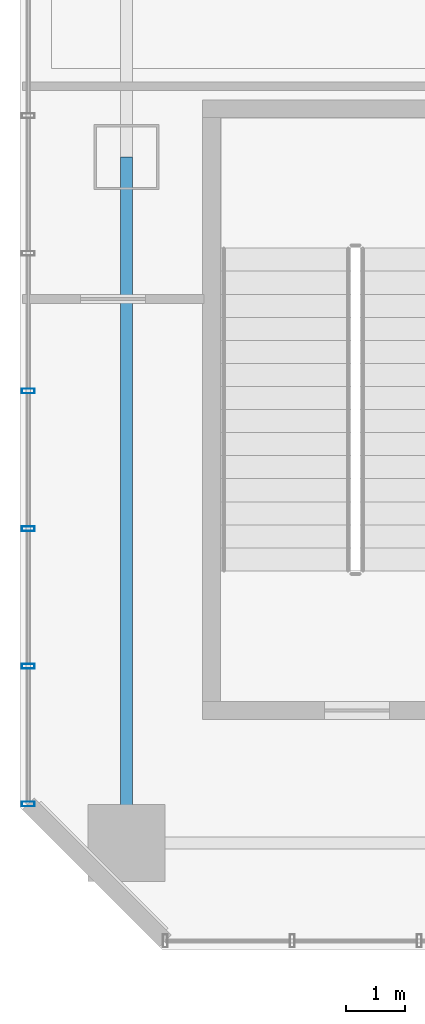
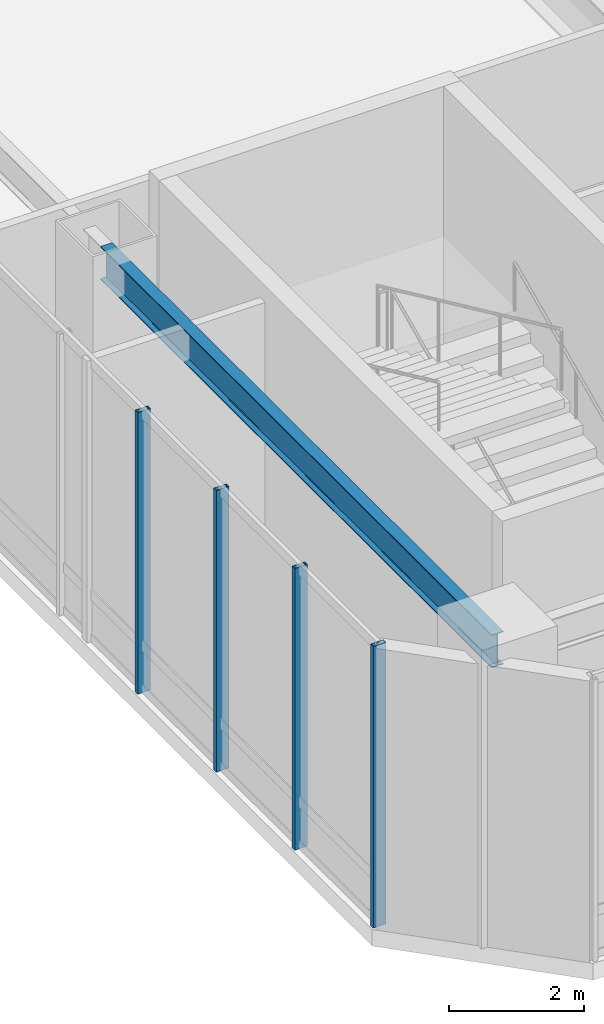
# One storey, part 3 of 35: 4 members, 1 beam, 1 element without a shape of its own.
"""IFC4 building model written with IfcOpenShell, lengths in metres."""

from ifc_helpers import new_model, si_unit, direction, frame, origin, origin_2d, place, context, subcontext, project, spatial, hollow_rectangle, i_section, extrude, material, layer, layer_set, material_profile, profile_set, type_object, element, aggregate, save


model = new_model("IFC4")

# Units and contexts
model_context = context("Model", 3, precision=1e-05, world=origin(), true_north=direction((0.0, 1.0)))
body_context = subcontext(model_context, "Body", "Model", "MODEL_VIEW")
ifc_project = project(units=[si_unit("LENGTHUNIT", "METRE"), si_unit("AREAUNIT", "SQUARE_METRE"), si_unit("VOLUMEUNIT", "CUBIC_METRE"), si_unit("PLANEANGLEUNIT", "RADIAN"), si_unit("MASSUNIT", "GRAM", prefix="KILO")], contexts=[model_context])

# Site, building, storey
site_placement = place(None, origin())
site = spatial("IfcSite", under=ifc_project, at=site_placement, CompositionType="ELEMENT")
building_placement = place(site_placement, origin())
building = spatial("IfcBuilding", under=site, at=building_placement, Name="Hatsunagi Terrace Concourse", CompositionType="ELEMENT")
storey_placement = place(building_placement, frame((0.0, 0.0, 5.39990234375)))
storey = spatial("IfcBuildingStorey", under=building, at=storey_placement, Name="L02", CompositionType="ELEMENT", Elevation=5.39990234375)

# Curtain wall, members
ifc_material_1 = material(Name="Anodised Aluminium Alloy 6063-T5", Category="aluminium")
ifc_layer = layer(ifc_material_1, 0.199951171875)
ifc_layer_set = layer_set([ifc_layer], Name="PodiumStorefront_CW01")
curtain_wall_type = type_object("IfcCurtainWallType", Name="PodiumStorefront_CW01", PredefinedType="NOTDEFINED", material=ifc_layer_set)
curtain_wall_placement = place(storey_placement, origin())
curtain_wall = element("IfcCurtainWall", 1, at=curtain_wall_placement, inside=storey, type_object=curtain_wall_type, Name="Unitised Curtain Wall CW-01 CW-L02-10", PredefinedType="NOTDEFINED")
ifc_material_2 = material(Name="Anodised Aluminium Alloy 6063-T5", Category="aluminium")
ifc_material_profile_1 = material_profile(ifc_material_2, hollow_rectangle(XDim=0.080078125, YDim=0.219970703125, WallThickness=0.0048828125, at=origin_2d()), Name="ALU-MUL-220x80x5")
ifc_profile_set_1 = profile_set([ifc_material_profile_1], Name="Anodised Aluminium Alloy 6063-T5")
member_type = type_object("IfcMemberType", Name="CurtainWallMullion_Heavy_220x80", PredefinedType="MULLION", material=ifc_profile_set_1)
member_1_placement = place(storey_placement, frame((0.139892578125, 25.85791015625, 0.0), z_axis=(0.0, 0.0, 1.0), x_axis=(0.0, 1.0, 0.0)))
member_1 = element("IfcMember", 2, at=member_1_placement, type_object=member_type, Name="Curtain Wall Mullion MUL-01", PredefinedType="MULLION", context=body_context, shape_type="SweptSolid", body=[
    extrude(hollow_rectangle(XDim=0.080078125, YDim=0.219970703125, WallThickness=0.0048828125, at=origin_2d()), origin(), (0.0, 0.0, 1.0), 5.10009765625),
])
member_2_placement = place(storey_placement, frame((0.139892578125, 28.18603515625, 0.0), z_axis=(0.0, 0.0, 1.0), x_axis=(0.0, 1.0, 0.0)))
member_2 = element("IfcMember", 3, at=member_2_placement, type_object=member_type, Name="Curtain Wall Mullion MUL-01", PredefinedType="MULLION", context=body_context, shape_type="SweptSolid", body=[
    extrude(hollow_rectangle(XDim=0.080078125, YDim=0.219970703125, WallThickness=0.0048828125, at=origin_2d()), origin(), (0.0, 0.0, 1.0), 5.10009765625),
])
member_3_placement = place(storey_placement, frame((0.139892578125, 30.514892578125, 0.0), z_axis=(0.0, 0.0, 1.0), x_axis=(0.0, 1.0, 0.0)))
member_3 = element("IfcMember", 4, at=member_3_placement, type_object=member_type, Name="Curtain Wall Mullion MUL-01", PredefinedType="MULLION", context=body_context, shape_type="SweptSolid", body=[
    extrude(hollow_rectangle(XDim=0.080078125, YDim=0.219970703125, WallThickness=0.0048828125, at=origin_2d()), origin(), (0.0, 0.0, 1.0), 5.10009765625),
])
member_4_placement = place(storey_placement, frame((0.139892578125, 32.843017578125, 0.0), z_axis=(0.0, 0.0, 1.0), x_axis=(0.0, 1.0, 0.0)))
member_4 = element("IfcMember", 5, at=member_4_placement, type_object=member_type, Name="Curtain Wall Mullion MUL-01", PredefinedType="MULLION", context=body_context, shape_type="SweptSolid", body=[
    extrude(hollow_rectangle(XDim=0.080078125, YDim=0.219970703125, WallThickness=0.0048828125, at=origin_2d()), origin(), (0.0, 0.0, 1.0), 5.10009765625),
])
aggregate(curtain_wall, [member_1, member_2, member_3, member_4])

# Beam
ifc_material_3 = material(Name="Steel SN490B", Category="steel")
ifc_material_profile_2 = material_profile(ifc_material_3, i_section(OverallWidth=0.199951171875, OverallDepth=0.60009765625, WebThickness=0.010986328125, FlangeThickness=0.01708984375, FilletRadius=0.01806640625, at=origin_2d()), Name="H-600x200x11x17")
ifc_profile_set_2 = profile_set([ifc_material_profile_2], Name="Steel SN490B")
beam_type = type_object("IfcBeamType", Name="PerimeterSpandrel_H_600x200", PredefinedType="SPANDREL", material=ifc_profile_set_2)
beam_placement = place(storey_placement, frame((1.800048828125, 25.199951171875, 4.800048828125), z_axis=(0.0, 1.0, 0.0), x_axis=(-1.0, 0.0, 0.0)))
element("IfcBeam", 6, at=beam_placement, inside=storey, type_object=beam_type, Name="Beam SP-01 BM-L02-NS-1-25", PredefinedType="SPANDREL", context=body_context, shape_type="SweptSolid", body=[
    extrude(i_section(OverallWidth=0.199951171875, OverallDepth=0.60009765625, WebThickness=0.010986328125, FlangeThickness=0.01708984375, FilletRadius=0.01806640625, at=origin_2d()), origin(), (0.0, 0.0, 1.0), 11.60009765625),
])

save(model, "model.ifc")
